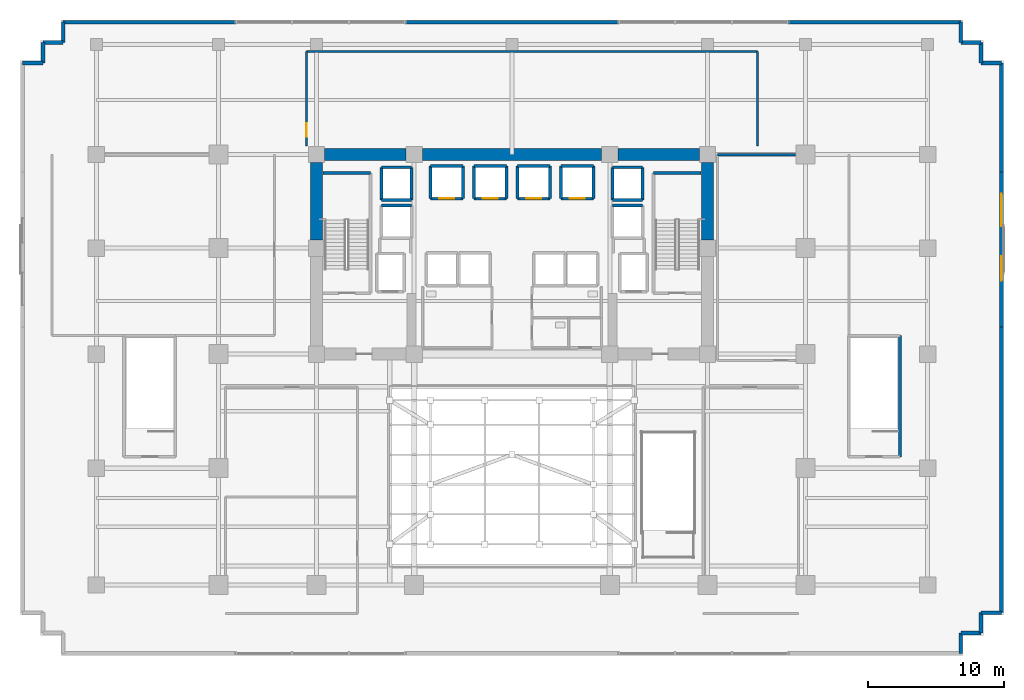
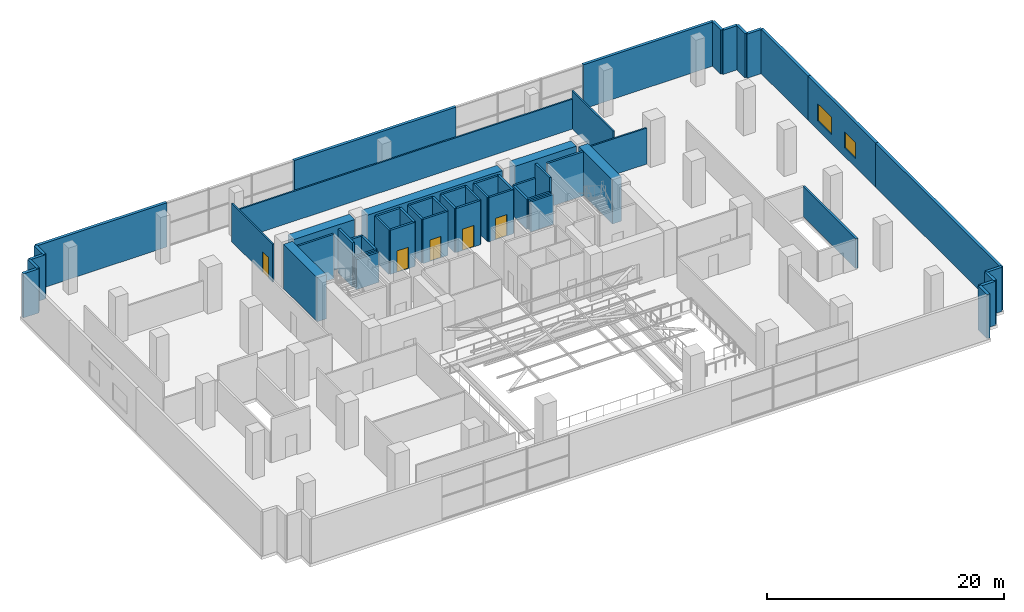
# One storey, part 17 of 22: 56 walls, 5 doors, 2 windows, 7 openings.
"""IFC4 building model written with IfcOpenShell, lengths in metres."""

from ifc_helpers import new_model, si_unit, direction, frame, frame_2d, origin, place, context, subcontext, project, spatial, rectangle, extrude, source, transform, mapped, material, layer, layer_set, type_object, element, fill, save


model = new_model("IFC4")

# Units and contexts
model_context = context("Model", 3, precision=1e-05, world=origin(), true_north=direction((0.0, 1.0)))
body_context = subcontext(model_context, "Body", "Model", "MODEL_VIEW")
ifc_project = project(units=[si_unit("LENGTHUNIT", "METRE"), si_unit("AREAUNIT", "SQUARE_METRE"), si_unit("VOLUMEUNIT", "CUBIC_METRE"), si_unit("PLANEANGLEUNIT", "RADIAN"), si_unit("MASSUNIT", "GRAM", prefix="KILO")], contexts=[model_context])

# Site, building, storey
site_placement = place(None, origin())
site = spatial("IfcSite", under=ifc_project, at=site_placement, CompositionType="ELEMENT")
building_placement = place(site_placement, origin())
building = spatial("IfcBuilding", under=site, at=building_placement, Name="Zarnakvel Exchange Tower", CompositionType="ELEMENT")
storey_placement = place(building_placement, frame((0.0, 0.0, 22.60009765625)))
storey = spatial("IfcBuildingStorey", under=building, at=storey_placement, Name="L05", CompositionType="ELEMENT", Elevation=22.60009765625)

# Walls
ifc_material_1 = material(Name="Concrete C80/95", Category="concrete")
ifc_layer_1 = layer(ifc_material_1, 0.89990234375)
ifc_layer_set_1 = layer_set([ifc_layer_1], Name="Concrete C80/95")
wall_type_1 = type_object("IfcWallType", Name="CW-C1", PredefinedType="SHEAR", material=ifc_layer_set_1)
wall_1_placement = place(storey_placement, frame((-13.800048828125, 13.5, 0.0), z_axis=(0.0, 0.0, 1.0), x_axis=(1.0, 0.0, 0.0)))
element("IfcWall", 1, at=wall_1_placement, inside=storey, type_object=wall_type_1, Name="L05 Rear Core Shear Wall N1 (CW-C1)", PredefinedType="SHEAR", context=body_context, shape_type="SweptSolid", body=[
    extrude(rectangle(XDim=6.0, YDim=0.89990234375, at=frame_2d((3.0, 0.0))), origin(), (0.0, 0.0, 1.0), 4.5498046875),
])
wall_2_placement = place(storey_placement, frame((-6.60009765625, 13.5, 0.0), z_axis=(0.0, 0.0, 1.0), x_axis=(1.0, 0.0, 0.0)))
element("IfcWall", 2, at=wall_2_placement, inside=storey, type_object=wall_type_1, Name="L05 Rear Core Shear Wall N2 (CW-C1)", PredefinedType="SHEAR", context=body_context, shape_type="SweptSolid", body=[
    extrude(rectangle(XDim=13.2001953125, YDim=0.89990234375, at=frame_2d((6.60009765625, 0.0))), origin(), (0.0, 0.0, 1.0), 4.5498046875),
])
wall_3_placement = place(storey_placement, frame((7.800048828125, 13.5, 0.0), z_axis=(0.0, 0.0, 1.0), x_axis=(1.0, 0.0, 0.0)))
element("IfcWall", 3, at=wall_3_placement, inside=storey, type_object=wall_type_1, Name="L05 Rear Core Shear Wall N3 (CW-C1)", PredefinedType="SHEAR", context=body_context, shape_type="SweptSolid", body=[
    extrude(rectangle(XDim=6.0, YDim=0.89990234375, at=frame_2d((3.0, 0.0))), origin(), (0.0, 0.0, 1.0), 4.5498046875),
])
for number, where, z_axis, x_axis, name in (
    (4, (-14.39990234375, 7.199951171875, 0.0), (0.0, 0.0, 1.0), (0.0, 1.0, 0.0), "L05 Rear Core Shear Wall W2 (CW-C1)"),
    (5, (14.39990234375, 7.199951171875, 0.0), (0.0, 0.0, 1.0), (0.0, 1.0, 0.0), "L05 Rear Core Shear Wall E2 (CW-C1)"),
):
    element("IfcWall", number, at=place(storey_placement, frame(where, z_axis=z_axis, x_axis=x_axis)), inside=storey, type_object=wall_type_1, Name=name, PredefinedType="SHEAR", context=body_context, shape_type="SweptSolid", body=[
        extrude(rectangle(XDim=5.699951171875, YDim=0.89990234375, at=frame_2d((2.85009765625, 0.0))), origin(), (0.0, 0.0, 1.0), 4.5498046875),
    ])

# Wall, openings, windows
ifc_material_2 = material(Name="Precast concrete C40/50", Category="concrete")
ifc_layer_2 = layer(ifc_material_2, 0.280029296875)
ifc_layer_set_2 = layer_set([ifc_layer_2], Name="Precast concrete C40/50")
wall_type_2 = type_object("IfcWallType", Name="EW-01", PredefinedType="SOLIDWALL", material=ifc_layer_set_2)
wall_4_placement = place(storey_placement, frame((36.0400390625, 12.199951171875, 0.0), z_axis=(0.0, 0.0, 1.0), x_axis=(0.0, -1.0, 0.0)))
wall_4 = element("IfcWall", 6, at=wall_4_placement, inside=storey, type_object=wall_type_2, Name="L05 Exterior Precast Spandrel Wall EW-L05-EF (EW-01)", PredefinedType="SOLIDWALL", context=body_context, shape_type="SweptSolid", body=[
    extrude(rectangle(XDim=11.39990234375, YDim=0.280029296875, at=frame_2d((5.699951171875, 0.0))), origin(), (0.0, 0.0, 1.0), 4.5498046875),
])
opening_1_placement = place(wall_4_placement, frame((1.60009765625, 0.0, 0.89990234375)))
opening_1 = element("IfcOpeningElement", 7, at=opening_1_placement, cuts=wall_4, Name="Opening WN-01", PredefinedType="OPENING", context=body_context, shape_type="SweptSolid", body=[
    extrude(rectangle(XDim=2.39990234375, YDim=1.800048828125, at=frame_2d((1.199951171875, 0.89990234375))), frame((0.0, 0.14990234375, 0.0), z_axis=(0.0, -1.0, 0.0), x_axis=(1.0, 0.0, 0.0)), (0.0, 0.0, 1.0), 0.300048828125),
])
opening_2_placement = place(wall_4_placement, frame((6.199951171875, 0.0, 0.89990234375)))
opening_2 = element("IfcOpeningElement", 8, at=opening_2_placement, cuts=wall_4, Name="Opening WN-02", PredefinedType="OPENING", context=body_context, shape_type="SweptSolid", body=[
    extrude(rectangle(XDim=1.800048828125, YDim=1.64990234375, at=frame_2d((0.89990234375, 0.824951171875))), frame((0.0, 0.14990234375, 0.0), z_axis=(0.0, -1.0, 0.0), x_axis=(1.0, 0.0, 0.0)), (0.0, 0.0, 1.0), 0.300048828125),
])
ifc_material_3 = material(Name="Double Low-E Laminated Vision Glass", Category="glass")
window_type_1 = type_object("IfcWindowType", Name="WN-01", PartitioningType="SINGLE_PANEL", PredefinedType="WINDOW", material=ifc_material_3)
shared_shape_1 = source(origin(), body_context, "Body", "SweptSolid", [
    extrude(rectangle(XDim=2.39990234375, YDim=1.800048828125, at=frame_2d((1.199951171875, 0.89990234375))), frame((0.0, 0.030029296875, 0.0), z_axis=(0.0, -1.0, 0.0), x_axis=(1.0, 0.0, 0.0)), (0.0, 0.0, 1.0), 0.06005859375),
])
window_1_placement = place(opening_1_placement, origin())
window_1 = element("IfcWindow", 9, at=window_1_placement, inside=storey, type_object=window_type_1, Name="L05 East Flank Window 1", OverallHeight=1.800048828125, OverallWidth=2.39990234375, PartitioningType="SINGLE_PANEL", PredefinedType="WINDOW", context=body_context, shape_type="MappedRepresentation", body=[
    mapped(shared_shape_1, transform((0.0, 0.0, 0.0), x_axis=(1.0, 0.0, 0.0), y_axis=(0.0, 1.0, 0.0), z_axis=(0.0, 0.0, 1.0), scale=1.0)),
])
fill(opening_1, window_1)
window_type_2 = type_object("IfcWindowType", Name="WN-02", PartitioningType="SINGLE_PANEL", PredefinedType="WINDOW", material=ifc_material_3)
shared_shape_2 = source(origin(), body_context, "Body", "SweptSolid", [
    extrude(rectangle(XDim=1.800048828125, YDim=1.64990234375, at=frame_2d((0.89990234375, 0.824951171875))), frame((0.0, 0.030029296875, 0.0), z_axis=(0.0, -1.0, 0.0), x_axis=(1.0, 0.0, 0.0)), (0.0, 0.0, 1.0), 0.06005859375),
])
window_2_placement = place(opening_2_placement, origin())
window_2 = element("IfcWindow", 10, at=window_2_placement, inside=storey, type_object=window_type_2, Name="L05 East Flank Window 2", OverallHeight=1.64990234375, OverallWidth=1.800048828125, PartitioningType="SINGLE_PANEL", PredefinedType="WINDOW", context=body_context, shape_type="MappedRepresentation", body=[
    mapped(shared_shape_2, transform((0.0, 0.0, 0.0), x_axis=(1.0, 0.0, 0.0), y_axis=(0.0, 1.0, 0.0), z_axis=(0.0, 0.0, 1.0), scale=1.0)),
])
fill(opening_2, window_2)

# Walls
for number, where, z_axis, x_axis, name in (
    (11, (-34.5400390625, 20.239990234375, 0.0), (0.0, 0.0, 1.0), (-1.0, 0.0, 0.0), "L05 Exterior Precast Spandrel Wall EWC-L05-03 (EW-01)"),
    (12, (-34.5400390625, 21.739990234375, 0.0), (0.0, 0.0, 1.0), (0.0, -1.0, 0.0), "L05 Exterior Precast Spandrel Wall EWC-L05-04 (EW-01)"),
    (13, (-33.0400390625, 21.739990234375, 0.0), (0.0, 0.0, 1.0), (-1.0, 0.0, 0.0), "L05 Exterior Precast Spandrel Wall EWC-L05-05 (EW-01)"),
    (14, (-33.0400390625, 23.239990234375, 0.0), (0.0, 0.0, 1.0), (0.0, -1.0, 0.0), "L05 Exterior Precast Spandrel Wall EWC-L05-06 (EW-01)"),
):
    element("IfcWall", number, at=place(storey_placement, frame(where, z_axis=z_axis, x_axis=x_axis)), inside=storey, type_object=wall_type_2, Name=name, PredefinedType="SOLIDWALL", context=body_context, shape_type="SweptSolid", body=[
        extrude(rectangle(XDim=1.5, YDim=0.280029296875, at=frame_2d((0.75, 0.0))), origin(), (0.0, 0.0, 1.0), 4.5498046875),
    ])
wall_5_placement = place(storey_placement, frame((-20.304931640625, 23.239990234375, 0.0), z_axis=(0.0, 0.0, 1.0), x_axis=(-1.0, 0.0, 0.0)))
element("IfcWall", 15, at=wall_5_placement, inside=storey, type_object=wall_type_2, Name="L05 Exterior Precast Spandrel Wall EWC-L05-07 (EW-01)", PredefinedType="SOLIDWALL", context=body_context, shape_type="SweptSolid", body=[
    extrude(rectangle(XDim=12.735107421875, YDim=0.280029296875, at=frame_2d((6.36767578125, 0.0))), origin(), (0.0, 0.0, 1.0), 4.5498046875),
])
wall_6_placement = place(storey_placement, frame((7.89501953125, 23.239990234375, 0.0), z_axis=(0.0, 0.0, 1.0), x_axis=(-1.0, 0.0, 0.0)))
element("IfcWall", 16, at=wall_6_placement, inside=storey, type_object=wall_type_2, Name="L05 Exterior Precast Spandrel Wall EWC-L05-08 (EW-01)", PredefinedType="SOLIDWALL", context=body_context, shape_type="SweptSolid", body=[
    extrude(rectangle(XDim=15.7900390625, YDim=0.280029296875, at=frame_2d((7.89501953125, 0.0))), origin(), (0.0, 0.0, 1.0), 4.5498046875),
])
wall_7_placement = place(storey_placement, frame((33.0400390625, 23.239990234375, 0.0), z_axis=(0.0, 0.0, 1.0), x_axis=(-1.0, 0.0, 0.0)))
element("IfcWall", 17, at=wall_7_placement, inside=storey, type_object=wall_type_2, Name="L05 Exterior Precast Spandrel Wall EWC-L05-09 (EW-01)", PredefinedType="SOLIDWALL", context=body_context, shape_type="SweptSolid", body=[
    extrude(rectangle(XDim=12.735107421875, YDim=0.280029296875, at=frame_2d((6.36767578125, 0.0))), origin(), (0.0, 0.0, 1.0), 4.5498046875),
])
for number, where, z_axis, x_axis, name in (
    (18, (33.0400390625, 21.739990234375, 0.0), (0.0, 0.0, 1.0), (0.0, 1.0, 0.0), "L05 Exterior Precast Spandrel Wall EWC-L05-10 (EW-01)"),
    (19, (34.5400390625, 21.739990234375, 0.0), (0.0, 0.0, 1.0), (-1.0, 0.0, 0.0), "L05 Exterior Precast Spandrel Wall EWC-L05-11 (EW-01)"),
    (20, (34.5400390625, 20.239990234375, 0.0), (0.0, 0.0, 1.0), (0.0, 1.0, 0.0), "L05 Exterior Precast Spandrel Wall EWC-L05-12 (EW-01)"),
    (21, (36.0400390625, 20.239990234375, 0.0), (0.0, 0.0, 1.0), (-1.0, 0.0, 0.0), "L05 Exterior Precast Spandrel Wall EWC-L05-13 (EW-01)"),
):
    element("IfcWall", number, at=place(storey_placement, frame(where, z_axis=z_axis, x_axis=x_axis)), inside=storey, type_object=wall_type_2, Name=name, PredefinedType="SOLIDWALL", context=body_context, shape_type="SweptSolid", body=[
        extrude(rectangle(XDim=1.5, YDim=0.280029296875, at=frame_2d((0.75, 0.0))), origin(), (0.0, 0.0, 1.0), 4.5498046875),
    ])
wall_8_placement = place(storey_placement, frame((36.0400390625, 12.199951171875, 0.0), z_axis=(0.0, 0.0, 1.0), x_axis=(0.0, 1.0, 0.0)))
element("IfcWall", 22, at=wall_8_placement, inside=storey, type_object=wall_type_2, Name="L05 Exterior Precast Spandrel Wall EWC-L05-14 (EW-01)", PredefinedType="SOLIDWALL", context=body_context, shape_type="SweptSolid", body=[
    extrude(rectangle(XDim=8.0400390625, YDim=0.280029296875, at=frame_2d((4.02001953125, 0.0))), origin(), (0.0, 0.0, 1.0), 4.5498046875),
])
wall_9_placement = place(storey_placement, frame((36.0400390625, -20.239990234375, 0.0), z_axis=(0.0, 0.0, 1.0), x_axis=(0.0, 1.0, 0.0)))
element("IfcWall", 23, at=wall_9_placement, inside=storey, type_object=wall_type_2, Name="L05 Exterior Precast Spandrel Wall EWC-L05-15 (EW-01)", PredefinedType="SOLIDWALL", context=body_context, shape_type="SweptSolid", body=[
    extrude(rectangle(XDim=21.0400390625, YDim=0.280029296875, at=frame_2d((10.52001953125, 0.0))), origin(), (0.0, 0.0, 1.0), 4.5498046875),
])
for number, where, z_axis, x_axis, name in (
    (24, (34.5400390625, -20.239990234375, 0.0), (0.0, 0.0, 1.0), (1.0, 0.0, 0.0), "L05 Exterior Precast Spandrel Wall EWC-L05-16 (EW-01)"),
    (25, (34.5400390625, -21.739990234375, 0.0), (0.0, 0.0, 1.0), (0.0, 1.0, 0.0), "L05 Exterior Precast Spandrel Wall EWC-L05-17 (EW-01)"),
    (26, (33.0400390625, -21.739990234375, 0.0), (0.0, 0.0, 1.0), (1.0, 0.0, 0.0), "L05 Exterior Precast Spandrel Wall EWC-L05-18 (EW-01)"),
    (27, (33.0400390625, -23.239990234375, 0.0), (0.0, 0.0, 1.0), (0.0, 1.0, 0.0), "L05 Exterior Precast Spandrel Wall EWC-L05-19 (EW-01)"),
):
    element("IfcWall", number, at=place(storey_placement, frame(where, z_axis=z_axis, x_axis=x_axis)), inside=storey, type_object=wall_type_2, Name=name, PredefinedType="SOLIDWALL", context=body_context, shape_type="SweptSolid", body=[
        extrude(rectangle(XDim=1.5, YDim=0.280029296875, at=frame_2d((0.75, 0.0))), origin(), (0.0, 0.0, 1.0), 4.5498046875),
    ])
ifc_material_4 = material(Name="Fire-Rated Gypsum Stud Partition", Category="gypsum")
ifc_layer_3 = layer(ifc_material_4, 0.14990234375)
ifc_layer_set_3 = layer_set([ifc_layer_3], Name="Fire-Rated Gypsum Stud Partition")
wall_type_3 = type_object("IfcWallType", Name="PT-01", PredefinedType="PARTITIONING", material=ifc_layer_set_3)
wall_10_placement = place(storey_placement, frame((15.1201171875, 13.47998046875, 0.0), z_axis=(0.0, 0.0, 1.0), x_axis=(1.0, 0.0, 0.0)))
element("IfcWall", 28, at=wall_10_placement, inside=storey, type_object=wall_type_3, Name="L05 Partition Wall PWALL-L05-047 (PT-01)", PredefinedType="PARTITIONING", context=body_context, shape_type="SweptSolid", body=[
    extrude(rectangle(XDim=5.759765625, YDim=0.14990234375, at=frame_2d((2.8798828125, 0.0))), origin(), (0.0, 0.0, 1.0), 3.725830078125),
])
wall_11_placement = place(storey_placement, frame((-15.1201171875, 21.080078125, 0.0), z_axis=(0.0, 0.0, 1.0), x_axis=(1.0, 0.0, 0.0)))
element("IfcWall", 29, at=wall_11_placement, inside=storey, type_object=wall_type_3, Name="L05 Partition Wall PWALL-L05-050 (PT-01)", PredefinedType="PARTITIONING", context=body_context, shape_type="SweptSolid", body=[
    extrude(rectangle(XDim=33.2001953125, YDim=0.14990234375, at=frame_2d((16.60009765625, 0.0))), origin(), (0.0, 0.0, 1.0), 3.08984375),
])

# Wall, opening, door
wall_12_placement = place(storey_placement, frame((-15.1201171875, 14.1201171875, 0.0), z_axis=(0.0, 0.0, 1.0), x_axis=(0.0, 1.0, 0.0)))
wall_12 = element("IfcWall", 30, at=wall_12_placement, inside=storey, type_object=wall_type_3, Name="L05 Partition Wall PWALL-L05-051 (PT-01)", PredefinedType="PARTITIONING", context=body_context, shape_type="SweptSolid", body=[
    extrude(rectangle(XDim=6.9599609375, YDim=0.14990234375, at=frame_2d((3.47998046875, 0.0))), origin(), (0.0, 0.0, 1.0), 3.93994140625),
])
opening_3_placement = place(wall_12_placement, frame((0.68994140625, 0.0, 0.0)))
opening_3 = element("IfcOpeningElement", 31, at=opening_3_placement, cuts=wall_12, Name="Opening D-L05-16", PredefinedType="OPENING", context=body_context, shape_type="SweptSolid", body=[
    extrude(rectangle(XDim=0.97998046875, YDim=2.14990234375, at=frame_2d((0.489990234375, 1.074951171875))), frame((0.0, 0.0849609375, 0.0), z_axis=(0.0, -1.0, 0.0), x_axis=(1.0, 0.0, 0.0)), (0.0, 0.0, 1.0), 0.169921875),
])
ifc_material_5 = material(Name="Timber Acoustic Veneer", Category="wood")
door_type_1 = type_object("IfcDoorType", Name="DT-05", OperationType="NOTDEFINED", PredefinedType="DOOR", material=ifc_material_5)
shared_shape_3 = source(origin(), body_context, "Body", "SweptSolid", [
    extrude(rectangle(XDim=0.97998046875, YDim=2.14990234375, at=frame_2d((0.489990234375, 1.074951171875))), frame((0.0, 0.02490234375, 0.0), z_axis=(0.0, -1.0, 0.0), x_axis=(1.0, 0.0, 0.0)), (0.0, 0.0, 1.0), 0.050048828125),
])
door_1_placement = place(opening_3_placement, origin())
door_1 = element("IfcDoor", 32, at=door_1_placement, inside=storey, type_object=door_type_1, Name="L05 Prayer Surau Suite Door D-L05-16", OperationType="SINGLE_SWING_LEFT", OverallHeight=2.14990234375, OverallWidth=0.97998046875, PredefinedType="DOOR", context=body_context, shape_type="MappedRepresentation", body=[
    mapped(shared_shape_3, transform((0.0, 0.0, 0.0), x_axis=(1.0, 0.0, 0.0), y_axis=(0.0, 1.0, 0.0), z_axis=(0.0, 0.0, 1.0), scale=1.0)),
])
fill(opening_3, door_1)

# Wall
wall_13_placement = place(storey_placement, frame((18.080078125, 21.080078125, 0.0), z_axis=(0.0, 0.0, 1.0), x_axis=(0.0, -1.0, 0.0)))
element("IfcWall", 33, at=wall_13_placement, inside=storey, type_object=wall_type_3, Name="L05 Partition Wall PWALL-L05-052 (PT-01)", PredefinedType="PARTITIONING", context=body_context, shape_type="SweptSolid", body=[
    extrude(rectangle(XDim=6.9599609375, YDim=0.14990234375, at=frame_2d((3.47998046875, 0.0))), origin(), (0.0, 0.0, 1.0), 3.93994140625),
])

# Wall, opening, door
ifc_material_6 = material(Name="Concrete C40/50", Category="concrete")
ifc_layer_4 = layer(ifc_material_6, 0.199951171875)
ifc_layer_set_4 = layer_set([ifc_layer_4], Name="Concrete C40/50")
wall_type_4 = type_object("IfcWallType", Name="SW-01", PredefinedType="SOLIDWALL", material=ifc_layer_set_4)
wall_14_placement = place(storey_placement, frame((-3.60009765625, 10.25, 0.0), z_axis=(0.0, 0.0, 1.0), x_axis=(-1.0, 0.0, 0.0)))
wall_14 = element("IfcWall", 34, at=wall_14_placement, inside=storey, type_object=wall_type_4, Name="L05 PL-01 Hoistway Wall South", PredefinedType="SOLIDWALL", context=body_context, shape_type="SweptSolid", body=[
    extrude(rectangle(XDim=2.39990234375, YDim=0.199951171875, at=frame_2d((1.199951171875, 0.0))), origin(), (0.0, 0.0, 1.0), 4.5498046875),
])
opening_4_placement = place(wall_14_placement, frame((0.64990234375, 0.0, 0.0)))
opening_4 = element("IfcOpeningElement", 35, at=opening_4_placement, cuts=wall_14, Name="Opening LD-PL-01-L05", PredefinedType="OPENING", context=body_context, shape_type="SweptSolid", body=[
    extrude(rectangle(XDim=1.10009765625, YDim=2.199951171875, at=frame_2d((0.550048828125, 1.10009765625))), frame((0.0, 0.10986328125, 0.0), z_axis=(0.0, -1.0, 0.0), x_axis=(1.0, 0.0, 0.0)), (0.0, 0.0, 1.0), 0.219970703125),
])
ifc_material_7 = material(Name="Architectural Bronze Anodised Aluminium", Category="aluminium")
door_type_2 = type_object("IfcDoorType", Name="LDT-02", OperationType="NOTDEFINED", PredefinedType="DOOR", material=ifc_material_7)
shared_shape_4 = source(origin(), body_context, "Body", "SweptSolid", [
    extrude(rectangle(XDim=1.10009765625, YDim=2.199951171875, at=frame_2d((0.550048828125, 1.10009765625))), frame((0.0, 0.02490234375, 0.0), z_axis=(0.0, -1.0, 0.0), x_axis=(1.0, 0.0, 0.0)), (0.0, 0.0, 1.0), 0.050048828125),
])
door_2_placement = place(opening_4_placement, origin())
door_2 = element("IfcDoor", 36, at=door_2_placement, inside=storey, type_object=door_type_2, Name="L05 PL-01 Lift Landing Door LD-PL-01-L05", OperationType="DOUBLE_DOOR_SLIDING", OverallHeight=2.199951171875, OverallWidth=1.10009765625, PredefinedType="DOOR", context=body_context, shape_type="MappedRepresentation", body=[
    mapped(shared_shape_4, transform((0.0, 0.0, 0.0), x_axis=(1.0, 0.0, 0.0), y_axis=(0.0, 1.0, 0.0), z_axis=(0.0, 0.0, 1.0), scale=1.0)),
])
fill(opening_4, door_2)

# Walls
for number, where, z_axis, x_axis, name in (
    (37, (-6.0, 12.64990234375, 0.0), (0.0, 0.0, 1.0), (1.0, 0.0, 0.0), "L05 PL-01 Hoistway Wall North"),
    (38, (-6.0, 10.25, 0.0), (0.0, 0.0, 1.0), (0.0, 1.0, 0.0), "L05 PL-01 Hoistway Wall West"),
    (39, (-3.60009765625, 12.64990234375, 0.0), (0.0, 0.0, 1.0), (0.0, -1.0, 0.0), "L05 PL-01 Hoistway Wall East"),
):
    element("IfcWall", number, at=place(storey_placement, frame(where, z_axis=z_axis, x_axis=x_axis)), inside=storey, type_object=wall_type_4, Name=name, PredefinedType="SOLIDWALL", context=body_context, shape_type="SweptSolid", body=[
        extrude(rectangle(XDim=2.39990234375, YDim=0.199951171875, at=frame_2d((1.199951171875, 0.0))), origin(), (0.0, 0.0, 1.0), 4.5498046875),
    ])

# Wall, opening, door
wall_15_placement = place(storey_placement, frame((-0.39990234375, 10.25, 0.0), z_axis=(0.0, 0.0, 1.0), x_axis=(-1.0, 0.0, 0.0)))
wall_15 = element("IfcWall", 40, at=wall_15_placement, inside=storey, type_object=wall_type_4, Name="L05 PL-02 Hoistway Wall South", PredefinedType="SOLIDWALL", context=body_context, shape_type="SweptSolid", body=[
    extrude(rectangle(XDim=2.400146484375, YDim=0.199951171875, at=frame_2d((1.2001953125, 0.0))), origin(), (0.0, 0.0, 1.0), 4.5498046875),
])
opening_5_placement = place(wall_15_placement, frame((0.64990234375, 0.0, 0.0)))
opening_5 = element("IfcOpeningElement", 41, at=opening_5_placement, cuts=wall_15, Name="Opening LD-PL-02-L05", PredefinedType="OPENING", context=body_context, shape_type="SweptSolid", body=[
    extrude(rectangle(XDim=1.10009765625, YDim=2.199951171875, at=frame_2d((0.550048828125, 1.10009765625))), frame((0.0, 0.10986328125, 0.0), z_axis=(0.0, -1.0, 0.0), x_axis=(1.0, 0.0, 0.0)), (0.0, 0.0, 1.0), 0.219970703125),
])
door_3_placement = place(opening_5_placement, origin())
door_3 = element("IfcDoor", 42, at=door_3_placement, inside=storey, type_object=door_type_2, Name="L05 PL-02 Lift Landing Door LD-PL-02-L05", OperationType="DOUBLE_DOOR_SLIDING", OverallHeight=2.199951171875, OverallWidth=1.10009765625, PredefinedType="DOOR", context=body_context, shape_type="MappedRepresentation", body=[
    mapped(shared_shape_4, transform((0.0, 0.0, 0.0), x_axis=(1.0, 0.0, 0.0), y_axis=(0.0, 1.0, 0.0), z_axis=(0.0, 0.0, 1.0), scale=1.0)),
])
fill(opening_5, door_3)

# Walls
wall_16_placement = place(storey_placement, frame((-2.800048828125, 12.64990234375, 0.0), z_axis=(0.0, 0.0, 1.0), x_axis=(1.0, 0.0, 0.0)))
element("IfcWall", 43, at=wall_16_placement, inside=storey, type_object=wall_type_4, Name="L05 PL-02 Hoistway Wall North", PredefinedType="SOLIDWALL", context=body_context, shape_type="SweptSolid", body=[
    extrude(rectangle(XDim=2.400146484375, YDim=0.199951171875, at=frame_2d((1.2001953125, 0.0))), origin(), (0.0, 0.0, 1.0), 4.5498046875),
])
for number, where, z_axis, x_axis, name in (
    (44, (-2.800048828125, 10.25, 0.0), (0.0, 0.0, 1.0), (0.0, 1.0, 0.0), "L05 PL-02 Hoistway Wall West"),
    (45, (-0.39990234375, 12.64990234375, 0.0), (0.0, 0.0, 1.0), (0.0, -1.0, 0.0), "L05 PL-02 Hoistway Wall East"),
):
    element("IfcWall", number, at=place(storey_placement, frame(where, z_axis=z_axis, x_axis=x_axis)), inside=storey, type_object=wall_type_4, Name=name, PredefinedType="SOLIDWALL", context=body_context, shape_type="SweptSolid", body=[
        extrude(rectangle(XDim=2.39990234375, YDim=0.199951171875, at=frame_2d((1.199951171875, 0.0))), origin(), (0.0, 0.0, 1.0), 4.5498046875),
    ])

# Wall, opening, door
wall_17_placement = place(storey_placement, frame((2.800048828125, 10.25, 0.0), z_axis=(0.0, 0.0, 1.0), x_axis=(-1.0, 0.0, 0.0)))
wall_17 = element("IfcWall", 46, at=wall_17_placement, inside=storey, type_object=wall_type_4, Name="L05 PL-03 Hoistway Wall South", PredefinedType="SOLIDWALL", context=body_context, shape_type="SweptSolid", body=[
    extrude(rectangle(XDim=2.400146484375, YDim=0.199951171875, at=frame_2d((1.2001953125, 0.0))), origin(), (0.0, 0.0, 1.0), 4.5498046875),
])
opening_6_placement = place(wall_17_placement, frame((0.64990234375, 0.0, 0.0)))
opening_6 = element("IfcOpeningElement", 47, at=opening_6_placement, cuts=wall_17, Name="Opening LD-PL-03-L05", PredefinedType="OPENING", context=body_context, shape_type="SweptSolid", body=[
    extrude(rectangle(XDim=1.10009765625, YDim=2.199951171875, at=frame_2d((0.550048828125, 1.10009765625))), frame((0.0, 0.10986328125, 0.0), z_axis=(0.0, -1.0, 0.0), x_axis=(1.0, 0.0, 0.0)), (0.0, 0.0, 1.0), 0.219970703125),
])
door_4_placement = place(opening_6_placement, origin())
door_4 = element("IfcDoor", 48, at=door_4_placement, inside=storey, type_object=door_type_2, Name="L05 PL-03 Lift Landing Door LD-PL-03-L05", OperationType="DOUBLE_DOOR_SLIDING", OverallHeight=2.199951171875, OverallWidth=1.10009765625, PredefinedType="DOOR", context=body_context, shape_type="MappedRepresentation", body=[
    mapped(shared_shape_4, transform((0.0, 0.0, 0.0), x_axis=(1.0, 0.0, 0.0), y_axis=(0.0, 1.0, 0.0), z_axis=(0.0, 0.0, 1.0), scale=1.0)),
])
fill(opening_6, door_4)

# Walls
wall_18_placement = place(storey_placement, frame((0.39990234375, 12.64990234375, 0.0), z_axis=(0.0, 0.0, 1.0), x_axis=(1.0, 0.0, 0.0)))
element("IfcWall", 49, at=wall_18_placement, inside=storey, type_object=wall_type_4, Name="L05 PL-03 Hoistway Wall North", PredefinedType="SOLIDWALL", context=body_context, shape_type="SweptSolid", body=[
    extrude(rectangle(XDim=2.400146484375, YDim=0.199951171875, at=frame_2d((1.2001953125, 0.0))), origin(), (0.0, 0.0, 1.0), 4.5498046875),
])
for number, where, z_axis, x_axis, name in (
    (50, (0.39990234375, 10.25, 0.0), (0.0, 0.0, 1.0), (0.0, 1.0, 0.0), "L05 PL-03 Hoistway Wall West"),
    (51, (2.800048828125, 12.64990234375, 0.0), (0.0, 0.0, 1.0), (0.0, -1.0, 0.0), "L05 PL-03 Hoistway Wall East"),
):
    element("IfcWall", number, at=place(storey_placement, frame(where, z_axis=z_axis, x_axis=x_axis)), inside=storey, type_object=wall_type_4, Name=name, PredefinedType="SOLIDWALL", context=body_context, shape_type="SweptSolid", body=[
        extrude(rectangle(XDim=2.39990234375, YDim=0.199951171875, at=frame_2d((1.199951171875, 0.0))), origin(), (0.0, 0.0, 1.0), 4.5498046875),
    ])

# Wall, opening, door
wall_19_placement = place(storey_placement, frame((6.0, 10.25, 0.0), z_axis=(0.0, 0.0, 1.0), x_axis=(-1.0, 0.0, 0.0)))
wall_19 = element("IfcWall", 52, at=wall_19_placement, inside=storey, type_object=wall_type_4, Name="L05 PL-04 Hoistway Wall South", PredefinedType="SOLIDWALL", context=body_context, shape_type="SweptSolid", body=[
    extrude(rectangle(XDim=2.39990234375, YDim=0.199951171875, at=frame_2d((1.199951171875, 0.0))), origin(), (0.0, 0.0, 1.0), 4.5498046875),
])
opening_7_placement = place(wall_19_placement, frame((0.64990234375, 0.0, 0.0)))
opening_7 = element("IfcOpeningElement", 53, at=opening_7_placement, cuts=wall_19, Name="Opening LD-PL-04-L05", PredefinedType="OPENING", context=body_context, shape_type="SweptSolid", body=[
    extrude(rectangle(XDim=1.10009765625, YDim=2.199951171875, at=frame_2d((0.550048828125, 1.10009765625))), frame((0.0, 0.10986328125, 0.0), z_axis=(0.0, -1.0, 0.0), x_axis=(1.0, 0.0, 0.0)), (0.0, 0.0, 1.0), 0.219970703125),
])
door_5_placement = place(opening_7_placement, origin())
door_5 = element("IfcDoor", 54, at=door_5_placement, inside=storey, type_object=door_type_2, Name="L05 PL-04 Lift Landing Door LD-PL-04-L05", OperationType="DOUBLE_DOOR_SLIDING", OverallHeight=2.199951171875, OverallWidth=1.10009765625, PredefinedType="DOOR", context=body_context, shape_type="MappedRepresentation", body=[
    mapped(shared_shape_4, transform((0.0, 0.0, 0.0), x_axis=(1.0, 0.0, 0.0), y_axis=(0.0, 1.0, 0.0), z_axis=(0.0, 0.0, 1.0), scale=1.0)),
])
fill(opening_7, door_5)

# Walls
for number, where, z_axis, x_axis, name in (
    (55, (3.60009765625, 12.64990234375, 0.0), (0.0, 0.0, 1.0), (1.0, 0.0, 0.0), "L05 PL-04 Hoistway Wall North"),
    (56, (3.60009765625, 10.25, 0.0), (0.0, 0.0, 1.0), (0.0, 1.0, 0.0), "L05 PL-04 Hoistway Wall West"),
    (57, (6.0, 12.64990234375, 0.0), (0.0, 0.0, 1.0), (0.0, -1.0, 0.0), "L05 PL-04 Hoistway Wall East"),
):
    element("IfcWall", number, at=place(storey_placement, frame(where, z_axis=z_axis, x_axis=x_axis)), inside=storey, type_object=wall_type_4, Name=name, PredefinedType="SOLIDWALL", context=body_context, shape_type="SweptSolid", body=[
        extrude(rectangle(XDim=2.39990234375, YDim=0.199951171875, at=frame_2d((1.199951171875, 0.0))), origin(), (0.0, 0.0, 1.0), 4.5498046875),
    ])
for number, where, z_axis, x_axis, name in (
    (58, (-9.60009765625, 9.75, 0.0), (0.0, 0.0, 1.0), (1.0, 0.0, 0.0), "L05 PL-09 Hoistway Wall North"),
    (59, (-7.39990234375, 10.14990234375, 0.0), (0.0, 0.0, 1.0), (-1.0, 0.0, 0.0), "L05 PL-10 Hoistway Wall South"),
    (60, (-9.60009765625, 12.550048828125, 0.0), (0.0, 0.0, 1.0), (1.0, 0.0, 0.0), "L05 PL-10 Hoistway Wall North"),
):
    element("IfcWall", number, at=place(storey_placement, frame(where, z_axis=z_axis, x_axis=x_axis)), inside=storey, type_object=wall_type_4, Name=name, PredefinedType="SOLIDWALL", context=body_context, shape_type="SweptSolid", body=[
        extrude(rectangle(XDim=2.2001953125, YDim=0.199951171875, at=frame_2d((1.10009765625, 0.0))), origin(), (0.0, 0.0, 1.0), 3.08984375),
    ])
wall_20_placement = place(storey_placement, frame((-9.60009765625, 10.14990234375, 0.0), z_axis=(0.0, 0.0, 1.0), x_axis=(0.0, 1.0, 0.0)))
element("IfcWall", 61, at=wall_20_placement, inside=storey, type_object=wall_type_4, Name="L05 PL-10 Hoistway Wall West", PredefinedType="SOLIDWALL", context=body_context, shape_type="SweptSolid", body=[
    extrude(rectangle(XDim=2.400146484375, YDim=0.199951171875, at=frame_2d((1.2001953125, 0.0))), origin(), (0.0, 0.0, 1.0), 4.5498046875),
])
wall_21_placement = place(storey_placement, frame((-7.39990234375, 12.550048828125, 0.0), z_axis=(0.0, 0.0, 1.0), x_axis=(0.0, -1.0, 0.0)))
element("IfcWall", 62, at=wall_21_placement, inside=storey, type_object=wall_type_4, Name="L05 PL-10 Hoistway Wall East", PredefinedType="SOLIDWALL", context=body_context, shape_type="SweptSolid", body=[
    extrude(rectangle(XDim=2.400146484375, YDim=0.199951171875, at=frame_2d((1.2001953125, 0.0))), origin(), (0.0, 0.0, 1.0), 3.08984375),
])
for number, where, z_axis, x_axis, name in (
    (63, (7.39990234375, 9.75, 0.0), (0.0, 0.0, 1.0), (1.0, 0.0, 0.0), "L05 PL-11 Hoistway Wall North"),
    (64, (9.60009765625, 10.14990234375, 0.0), (0.0, 0.0, 1.0), (-1.0, 0.0, 0.0), "L05 PL-12 Hoistway Wall South"),
    (65, (7.39990234375, 12.550048828125, 0.0), (0.0, 0.0, 1.0), (1.0, 0.0, 0.0), "L05 PL-12 Hoistway Wall North"),
):
    element("IfcWall", number, at=place(storey_placement, frame(where, z_axis=z_axis, x_axis=x_axis)), inside=storey, type_object=wall_type_4, Name=name, PredefinedType="SOLIDWALL", context=body_context, shape_type="SweptSolid", body=[
        extrude(rectangle(XDim=2.2001953125, YDim=0.199951171875, at=frame_2d((1.10009765625, 0.0))), origin(), (0.0, 0.0, 1.0), 3.08984375),
    ])
wall_22_placement = place(storey_placement, frame((7.39990234375, 10.14990234375, 0.0), z_axis=(0.0, 0.0, 1.0), x_axis=(0.0, 1.0, 0.0)))
element("IfcWall", 66, at=wall_22_placement, inside=storey, type_object=wall_type_4, Name="L05 PL-12 Hoistway Wall West", PredefinedType="SOLIDWALL", context=body_context, shape_type="SweptSolid", body=[
    extrude(rectangle(XDim=2.400146484375, YDim=0.199951171875, at=frame_2d((1.2001953125, 0.0))), origin(), (0.0, 0.0, 1.0), 3.08984375),
])
wall_23_placement = place(storey_placement, frame((9.60009765625, 12.550048828125, 0.0), z_axis=(0.0, 0.0, 1.0), x_axis=(0.0, -1.0, 0.0)))
element("IfcWall", 67, at=wall_23_placement, inside=storey, type_object=wall_type_4, Name="L05 PL-12 Hoistway Wall East", PredefinedType="SOLIDWALL", context=body_context, shape_type="SweptSolid", body=[
    extrude(rectangle(XDim=2.400146484375, YDim=0.199951171875, at=frame_2d((1.2001953125, 0.0))), origin(), (0.0, 0.0, 1.0), 4.5498046875),
])
ifc_layer_5 = layer(ifc_material_6, 0.199951171875)
ifc_layer_set_5 = layer_set([ifc_layer_5], Name="Concrete C40/50")
wall_type_5 = type_object("IfcWallType", Name="SW-02", PredefinedType="SOLIDWALL", material=ifc_layer_set_5)
for number, where, z_axis, x_axis, name in (
    (68, (-13.929931640625, 12.1298828125, 0.0), (0.0, 0.0, 1.0), (1.0, 0.0, 0.0), "L05 Stairwell Core Wall PWALL-L05-002 (SW-02)"),
    (69, (10.409912109375, 12.1298828125, 0.0), (0.0, 0.0, 1.0), (1.0, 0.0, 0.0), "L05 Stairwell Core Wall PWALL-L05-005 (SW-02)"),
):
    element("IfcWall", number, at=place(storey_placement, frame(where, z_axis=z_axis, x_axis=x_axis)), inside=storey, type_object=wall_type_5, Name=name, PredefinedType="SOLIDWALL", context=body_context, shape_type="SweptSolid", body=[
        extrude(rectangle(XDim=3.52001953125, YDim=0.199951171875, at=frame_2d((1.760009765625, 0.0))), origin(), (0.0, 0.0, 1.0), 4.5498046875),
    ])
wall_24_placement = place(storey_placement, frame((28.56005859375, 0.159912109375, 0.0), z_axis=(0.0, 0.0, 1.0), x_axis=(0.0, -1.0, 0.0)))
element("IfcWall", 70, at=wall_24_placement, inside=storey, type_object=wall_type_5, Name="L05 Stairwell Core Wall PWALL-L05-029 (SW-02)", PredefinedType="SOLIDWALL", context=body_context, shape_type="SweptSolid", body=[
    extrude(rectangle(XDim=8.919921875, YDim=0.199951171875, at=frame_2d((4.4599609375, 0.0))), origin(), (0.0, 0.0, 1.0), 3.08984375),
])

save(model, "model.ifc")
